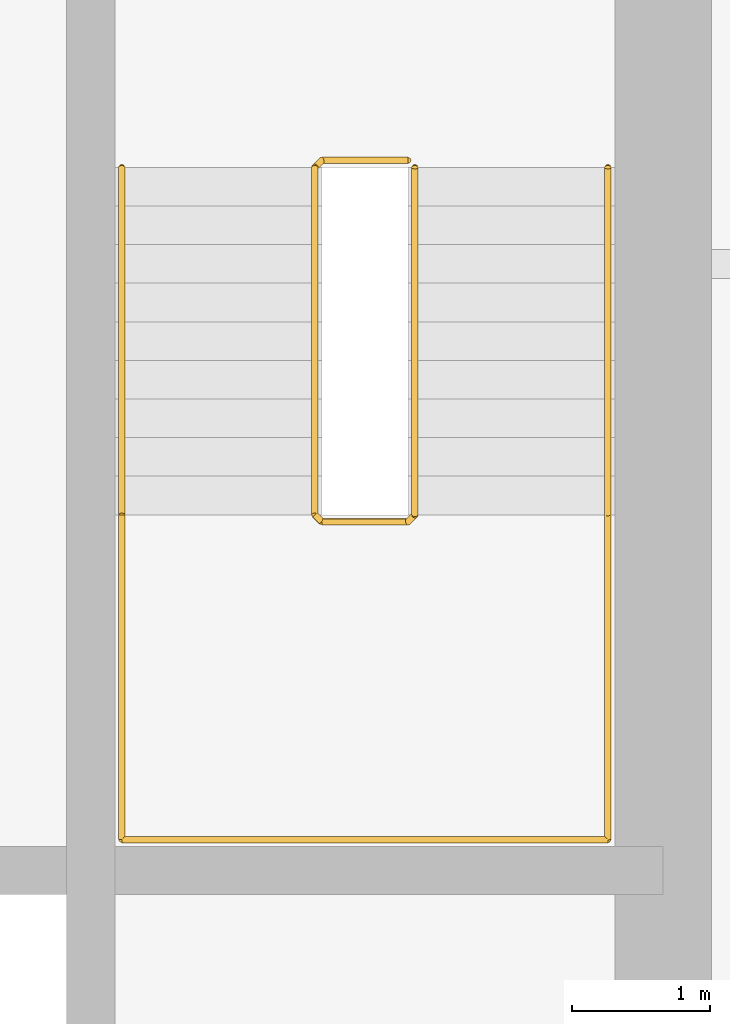
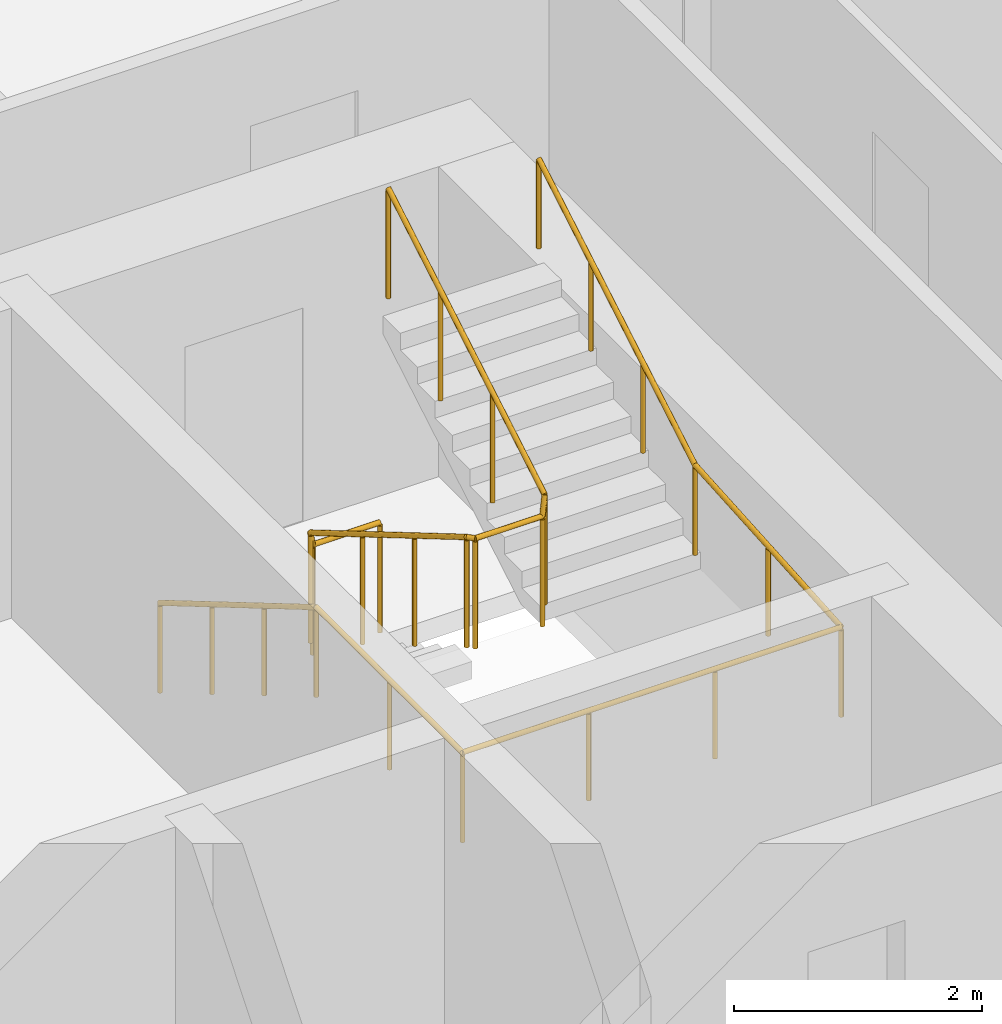
# One storey, part 13 of 14: 2 railings.
"""IFC4 building model written with IfcOpenShell, lengths in metres."""

from ifc_helpers import new_model, si_unit, direction, frame, origin, origin_2d, place, context, subcontext, project, spatial, circle, extrude, material, type_object, element, save


model = new_model("IFC4")

# Units and contexts
model_context = context("Model", 3, precision=1e-05, world=origin(), true_north=direction((0.0, 1.0)))
body_context = subcontext(model_context, "Body", "Model", "MODEL_VIEW")
ifc_project = project(units=[si_unit("LENGTHUNIT", "METRE"), si_unit("AREAUNIT", "SQUARE_METRE"), si_unit("VOLUMEUNIT", "CUBIC_METRE"), si_unit("PLANEANGLEUNIT", "RADIAN"), si_unit("MASSUNIT", "GRAM", prefix="KILO")], contexts=[model_context])

# Site, building, storey
site_placement = place(None, origin())
site = spatial("IfcSite", under=ifc_project, at=site_placement, CompositionType="ELEMENT")
building_placement = place(site_placement, origin())
building = spatial("IfcBuilding", under=site, at=building_placement, Name="Amberfall Residences", CompositionType="ELEMENT")
storey_placement = place(building_placement, frame((0.0, 0.0, 133.89990234375)))
storey = spatial("IfcBuildingStorey", under=building, at=storey_placement, Name="L35", CompositionType="ELEMENT", Elevation=133.89990234375)

# Railings
ifc_material = material(Name="Stainless steel 316", Category="steel")
railing_type_1 = type_object("IfcRailingType", Name="Stair guard 1100", PredefinedType="GUARDRAIL", material=ifc_material)
railing_1_placement = place(storey_placement, frame((84.300048828125, 55.14990234375, 0.0)))
element("IfcRailing", 1, at=railing_1_placement, inside=storey, type_object=railing_type_1, Name="L35 stair 3 guard", PredefinedType="GUARDRAIL", context=body_context, shape_type="SweptSolid", body=[
    extrude(circle(Radius=0.02392578125, at=origin_2d()), frame((0.0, 0.0, 1.076171875), z_axis=(-1.0, 0.0, 0.0), x_axis=(0.0, -1.0, 0.0)), (0.0, 0.0, 1.0), 0.625),
    extrude(circle(Radius=0.02392578125, at=origin_2d()), frame((-0.625, 0.0, 1.076171875), z_axis=(-0.278810427259, -0.277450376394, 0.919394384522), x_axis=(0.705375805398, -0.708833529934, 0.0)), (0.0, 0.0, 1.0), 0.179443359375),
    extrude(circle(Radius=0.02392578125, at=origin_2d()), frame((-0.675048828125, -0.0498046875, 1.2412109375), z_axis=(0.0, -0.86152411907, 0.507716645641), x_axis=(1.0, 0.0, 0.0)), (0.0, 0.0, 1.0), 2.925048828125),
    extrude(circle(Radius=0.02392578125, at=origin_2d()), frame((-0.675048828125, -2.56982421875, 2.72607421875), z_axis=(0.707106781187, -0.707106781187, 0.0), x_axis=(0.707106781187, 0.707106781187, 0.0)), (0.0, 0.0, 1.0), 0.07080078125),
    extrude(circle(Radius=0.02392578125, at=origin_2d()), frame((-0.625, -2.619873046875, 2.72607421875), z_axis=(1.0, 0.0, 0.0), x_axis=(0.0, 1.0, 0.0)), (0.0, 0.0, 1.0), 0.625),
    extrude(circle(Radius=0.02392578125, at=origin_2d()), frame((0.0, -2.619873046875, 2.72607421875), z_axis=(0.278705021027, 0.278705021027, 0.919046801044), x_axis=(-0.707106781187, 0.707106781187, 0.0)), (0.0, 0.0, 1.0), 0.1796875),
    extrude(circle(Radius=0.02392578125, at=origin_2d()), frame((0.050048828125, -2.56982421875, 2.89111328125), z_axis=(0.0, 0.861560626758, 0.507654692109), x_axis=(-1.0, 0.0, 0.0)), (0.0, 0.0, 1.0), 2.925048828125),
    extrude(circle(Radius=0.02099609375, at=origin_2d()), origin(), (0.0, 0.0, 1.0), 1.052001953125),
    extrude(circle(Radius=0.02099609375, at=origin_2d()), frame((-0.625, 0.0, 0.0)), (0.0, 0.0, 1.0), 1.052001953125),
    extrude(circle(Radius=0.02099609375, at=origin_2d()), frame((-0.675048828125, -0.0498046875, 0.1650390625)), (0.0, 0.0, 1.0), 1.052001953125),
    extrude(circle(Radius=0.02099609375, at=origin_2d()), frame((-0.675048828125, -0.889892578125, 0.66015625)), (0.0, 0.0, 1.0), 1.052001953125),
    extrude(circle(Radius=0.02099609375, at=origin_2d()), frame((-0.675048828125, -1.729736328125, 1.155029296875)), (0.0, 0.0, 1.0), 1.052001953125),
    extrude(circle(Radius=0.02099609375, at=origin_2d()), frame((-0.675048828125, -2.56982421875, 1.650146484375)), (0.0, 0.0, 1.0), 1.052001953125),
    extrude(circle(Radius=0.02099609375, at=origin_2d()), frame((-0.625, -2.619873046875, 1.650146484375)), (0.0, 0.0, 1.0), 1.052001953125),
    extrude(circle(Radius=0.02099609375, at=origin_2d()), frame((0.0, -2.619873046875, 1.650146484375)), (0.0, 0.0, 1.0), 1.052001953125),
    extrude(circle(Radius=0.02099609375, at=origin_2d()), frame((0.050048828125, -2.56982421875, 1.815185546875)), (0.0, 0.0, 1.0), 1.052001953125),
    extrude(circle(Radius=0.02099609375, at=origin_2d()), frame((0.050048828125, -1.729736328125, 2.31005859375)), (0.0, 0.0, 1.0), 1.052001953125),
    extrude(circle(Radius=0.02099609375, at=origin_2d()), frame((0.050048828125, -0.889892578125, 2.80517578125)), (0.0, 0.0, 1.0), 1.052001953125),
    extrude(circle(Radius=0.02099609375, at=origin_2d()), frame((0.050048828125, -0.0498046875, 3.300048828125)), (0.0, 0.0, 1.0), 1.052001953125),
])
railing_type_2 = type_object("IfcRailingType", Name="Stair handrail 900", PredefinedType="HANDRAIL", material=ifc_material)
railing_2_placement = place(storey_placement, frame((82.22509765625, 55.10009765625, 0.1650390625)))
element("IfcRailing", 2, at=railing_2_placement, inside=storey, type_object=railing_type_2, Name="L35 stair 3 handrail", PredefinedType="HANDRAIL", context=body_context, shape_type="SweptSolid", body=[
    extrude(circle(Radius=0.02392578125, at=origin_2d()), frame((0.0, 0.0, 0.8759765625), z_axis=(0.0, -0.86152411907, 0.507716645641), x_axis=(1.0, 0.0, 0.0)), (0.0, 0.0, 1.0), 2.925048828125),
    extrude(circle(Radius=0.02392578125, at=origin_2d()), frame((0.0, -2.52001953125, 2.36083984375), z_axis=(0.0, -1.0, 0.0), x_axis=(1.0, 0.0, 0.0)), (0.0, 0.0, 1.0), 2.35498046875),
    extrude(circle(Radius=0.02392578125, at=origin_2d()), frame((0.0, -4.875, 2.36083984375), z_axis=(1.0, 0.0, 0.0), x_axis=(0.0, 1.0, 0.0)), (0.0, 0.0, 1.0), 3.52490234375),
    extrude(circle(Radius=0.02392578125, at=origin_2d()), frame((3.52490234375, -4.875, 2.36083984375), z_axis=(0.0, 0.997553344917, 0.069909398835), x_axis=(-1.0, 0.0, 0.0)), (0.0, 0.0, 1.0), 2.36083984375),
    extrude(circle(Radius=0.02392578125, at=origin_2d()), frame((3.52490234375, -2.52001953125, 2.52587890625), z_axis=(0.0, 0.861560626758, 0.507654692109), x_axis=(-1.0, 0.0, 0.0)), (0.0, 0.0, 1.0), 2.925048828125),
    extrude(circle(Radius=0.02099609375, at=origin_2d()), origin(), (0.0, 0.0, 1.0), 0.851806640625),
    extrude(circle(Radius=0.02099609375, at=origin_2d()), frame((0.0, -0.840087890625, 0.4951171875)), (0.0, 0.0, 1.0), 0.851806640625),
    extrude(circle(Radius=0.02099609375, at=origin_2d()), frame((0.0, -1.679931640625, 0.989990234375)), (0.0, 0.0, 1.0), 0.851806640625),
    extrude(circle(Radius=0.02099609375, at=origin_2d()), frame((0.0, -2.52001953125, 1.485107421875)), (0.0, 0.0, 1.0), 0.851806640625),
    extrude(circle(Radius=0.02099609375, at=origin_2d()), frame((0.0, -3.697509765625, 1.485107421875)), (0.0, 0.0, 1.0), 0.851806640625),
    extrude(circle(Radius=0.02099609375, at=origin_2d()), frame((0.0, -4.875, 1.485107421875)), (0.0, 0.0, 1.0), 0.851806640625),
    extrude(circle(Radius=0.02099609375, at=origin_2d()), frame((1.175048828125, -4.875, 1.485107421875)), (0.0, 0.0, 1.0), 0.851806640625),
    extrude(circle(Radius=0.02099609375, at=origin_2d()), frame((2.349853515625, -4.875, 1.485107421875)), (0.0, 0.0, 1.0), 0.851806640625),
    extrude(circle(Radius=0.02099609375, at=origin_2d()), frame((3.52490234375, -4.875, 1.485107421875)), (0.0, 0.0, 1.0), 0.851806640625),
    extrude(circle(Radius=0.02099609375, at=origin_2d()), frame((3.52490234375, -3.697509765625, 1.567626953125)), (0.0, 0.0, 1.0), 0.851806640625),
    extrude(circle(Radius=0.02099609375, at=origin_2d()), frame((3.52490234375, -2.52001953125, 1.650146484375)), (0.0, 0.0, 1.0), 0.851806640625),
    extrude(circle(Radius=0.02099609375, at=origin_2d()), frame((3.52490234375, -1.679931640625, 2.14501953125)), (0.0, 0.0, 1.0), 0.851806640625),
    extrude(circle(Radius=0.02099609375, at=origin_2d()), frame((3.52490234375, -0.840087890625, 2.64013671875)), (0.0, 0.0, 1.0), 0.851806640625),
    extrude(circle(Radius=0.02099609375, at=origin_2d()), frame((3.52490234375, 0.0, 3.135009765625)), (0.0, 0.0, 1.0), 0.851806640625),
])

save(model, "model.ifc")
